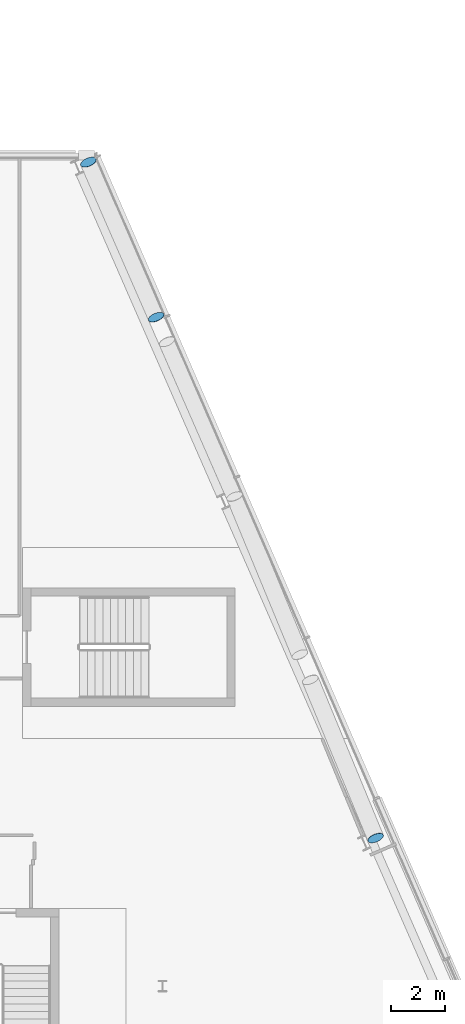
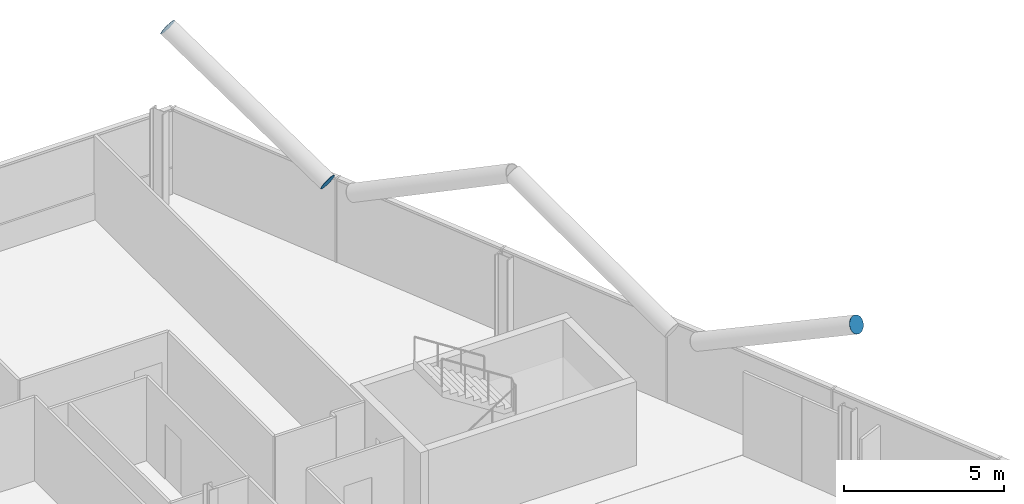
# One storey, part 24 of 27: 3 discrete accessories.
"""IFC4 building model written with IfcOpenShell, lengths in metres."""

from ifc_helpers import new_model, si_unit, direction, frame, origin, origin_2d, place, context, subcontext, project, spatial, circle, extrude, material, material_profile, profile_set, type_object, element, save


model = new_model("IFC4")

# Units and contexts
model_context = context("Model", 3, precision=1e-05, world=origin(), true_north=direction((0.0, 1.0)))
body_context = subcontext(model_context, "Body", "Model", "MODEL_VIEW")
ifc_project = project(units=[si_unit("LENGTHUNIT", "METRE"), si_unit("AREAUNIT", "SQUARE_METRE"), si_unit("VOLUMEUNIT", "CUBIC_METRE"), si_unit("PLANEANGLEUNIT", "RADIAN"), si_unit("MASSUNIT", "GRAM", prefix="KILO")], contexts=[model_context])

# Site, building, storey
site_placement = place(None, origin())
site = spatial("IfcSite", under=ifc_project, at=site_placement, CompositionType="ELEMENT")
building_placement = place(site_placement, origin())
building = spatial("IfcBuilding", under=site, at=building_placement, Name="Wharfspan Tower", CompositionType="ELEMENT")
storey_placement = place(building_placement, frame((0.0, 0.0, 228.699951)))
storey = spatial("IfcBuildingStorey", under=building, at=storey_placement, Name="L57", CompositionType="ELEMENT", Elevation=228.699951)

# Discrete accessories
ifc_material = material(Name="Steel S460NH", Category="steel")
ifc_material_profile = material_profile(ifc_material, circle(Radius=0.304932, at=origin_2d()))
ifc_profile_set = profile_set([ifc_material_profile], Name="Steel S460NH")
discrete_accessory_type = type_object("IfcDiscreteAccessoryType", Name="End plate CHS 610x25", PredefinedType="BRACKET", material=ifc_profile_set)
for number, where, z_axis, x_axis, name in (
    (1, (79.826904, 16.943115, 6.5), (0.338259, -0.821486, 0.459066), (0.924676, 0.380749, 0.0), "End plate CHS 610x25"),
    (2, (71.773193, 36.061523, 3.162109), (-0.345075, 0.81339, 0.468316), (-0.920586, -0.390551, -2e-06), "End plate CHS 610x25"),
    (3, (69.284424, 41.753662, 6.5), (-0.341058, 0.803922, 0.487226), (-0.920584, -0.390551, 0.0), "End plate CHS 610x25"),
):
    element("IfcDiscreteAccessory", number, at=place(storey_placement, frame(where, z_axis=z_axis, x_axis=x_axis)), inside=storey, type_object=discrete_accessory_type, Name=name, PredefinedType="BRACKET", context=body_context, shape_type="SweptSolid", body=[
        extrude(circle(Radius=0.304932, at=origin_2d()), origin(), (0.0, 0.0, 1.0), 0.01001),
    ])

save(model, "model.ifc")
